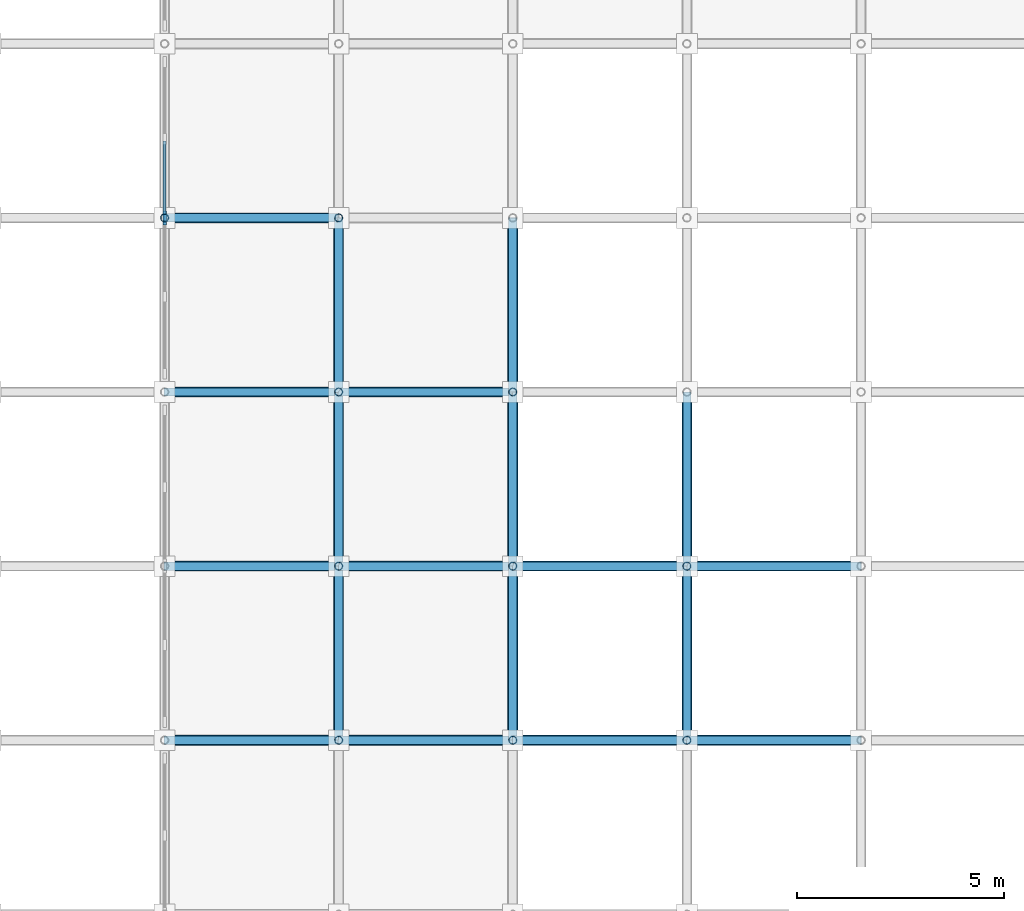
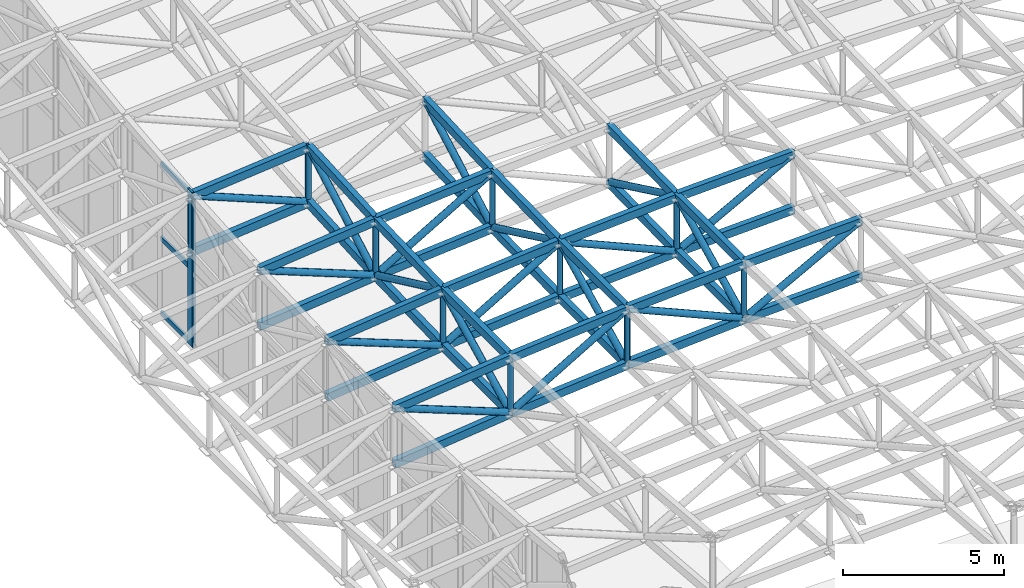
# One storey, part 42 of 123: 72 members, 2 elements without a shape of their own.
"""IFC4 building model written with IfcOpenShell, lengths in metres."""

from ifc_helpers import new_model, si_unit, direction, frame, origin, origin_2d, place, context, subcontext, project, spatial, rectangle, hollow_rectangle, hollow_circle, extrude, material, material_profile, profile_set, type_object, element, aggregate, save


model = new_model("IFC4")

# Units and contexts
model_context = context("Model", 3, precision=1e-05, world=origin(), true_north=direction((0.0, 1.0)))
body_context = subcontext(model_context, "Body", "Model", "MODEL_VIEW")
ifc_project = project(units=[si_unit("LENGTHUNIT", "METRE"), si_unit("AREAUNIT", "SQUARE_METRE"), si_unit("VOLUMEUNIT", "CUBIC_METRE"), si_unit("PLANEANGLEUNIT", "RADIAN"), si_unit("MASSUNIT", "GRAM", prefix="KILO")], contexts=[model_context])

# Site, building, storey
site_placement = place(None, origin())
site = spatial("IfcSite", under=ifc_project, at=site_placement, CompositionType="ELEMENT")
building_placement = place(site_placement, origin())
building = spatial("IfcBuilding", under=site, at=building_placement, Name="Cumbredor Promenade Congress Hotel", CompositionType="ELEMENT")
storey_placement = place(building_placement, frame((0.0, 0.0, 11.760009765625)))
storey = spatial("IfcBuildingStorey", under=building, at=storey_placement, Name="L03", CompositionType="ELEMENT", Elevation=11.760009765625)

# Members
ifc_material_1 = material(Name="Steel ASTM A500 Grade C", Category="steel")
ifc_material_profile_1 = material_profile(ifc_material_1, hollow_rectangle(XDim=0.199951171875, YDim=0.300048828125, WallThickness=0.012451171875, at=origin_2d()), Name="HSS 300x200x12.5")
ifc_profile_set_1 = profile_set([ifc_material_profile_1], Name="Steel ASTM A500 Grade C")
member_type_1 = type_object("IfcMemberType", Name="Ballroom Roof Space Frame Chord", PredefinedType="CHORD", material=ifc_profile_set_1)
for number, where, z_axis, x_axis, name in (
    (1, (142.800048828125, 33.60009765625, 5.228271484375), (0.993720642915, 0.0, 0.111889605611), (0.0, 1.0, 0.0), "Grand Ballroom Pavilion X Top Chord 2.9"),
    (2, (142.800048828125, 33.60009765625, 3.128173828125), (0.993720642915, 0.0, 0.111889605611), (0.0, 1.0, 0.0), "Grand Ballroom Pavilion X Bottom Chord 2.9"),
):
    element("IfcMember", number, at=place(storey_placement, frame(where, z_axis=z_axis, x_axis=x_axis)), inside=storey, type_object=member_type_1, Name=name, PredefinedType="CHORD", context=body_context, shape_type="SweptSolid", body=[
        extrude(hollow_rectangle(XDim=0.199951171875, YDim=0.300048828125, WallThickness=0.012451171875, at=origin_2d()), origin(), (0.0, 0.0, 1.0), 4.2265625),
    ])
for number, where, z_axis, x_axis, name in (
    (3, (147.0, 33.60009765625, 5.701171875), (0.996195037355, 0.0, 0.087151864862), (0.0, 1.0, 0.0), "Grand Ballroom Pavilion X Top Chord 3.9"),
    (4, (147.0, 33.60009765625, 3.60107421875), (0.996190008117, 0.0, 0.087209332804), (0.0, 1.0, 0.0), "Grand Ballroom Pavilion X Bottom Chord 3.9"),
):
    element("IfcMember", number, at=place(storey_placement, frame(where, z_axis=z_axis, x_axis=x_axis)), inside=storey, type_object=member_type_1, Name=name, PredefinedType="CHORD", context=body_context, shape_type="SweptSolid", body=[
        extrude(hollow_rectangle(XDim=0.199951171875, YDim=0.300048828125, WallThickness=0.012451171875, at=origin_2d()), origin(), (0.0, 0.0, 1.0), 4.216064453125),
    ])
for number, where, z_axis, x_axis, name in (
    (5, (151.199951171875, 33.60009765625, 6.068603515625), (0.998049642716, 0.0, 0.062425240688), (0.0, 1.0, 0.0), "Grand Ballroom Pavilion X Top Chord 4.9"),
    (6, (151.199951171875, 33.60009765625, 3.96875), (0.998049642716, 0.0, 0.062425240688), (0.0, 1.0, 0.0), "Grand Ballroom Pavilion X Bottom Chord 4.9"),
):
    element("IfcMember", number, at=place(storey_placement, frame(where, z_axis=z_axis, x_axis=x_axis)), inside=storey, type_object=member_type_1, Name=name, PredefinedType="CHORD", context=body_context, shape_type="SweptSolid", body=[
        extrude(hollow_rectangle(XDim=0.199951171875, YDim=0.300048828125, WallThickness=0.012451171875, at=origin_2d()), origin(), (0.0, 0.0, 1.0), 4.208251953125),
    ])
for number, where, z_axis, x_axis, name in (
    (7, (155.39990234375, 33.60009765625, 6.331298828125), (0.999295765631, 0.0, 0.037522963532), (0.0, 1.0, 0.0), "Grand Ballroom Pavilion X Top Chord 5.9"),
    (8, (155.39990234375, 33.60009765625, 4.2314453125), (0.999295765631, 0.0, 0.037522963532), (0.0, 1.0, 0.0), "Grand Ballroom Pavilion X Bottom Chord 5.9"),
):
    element("IfcMember", number, at=place(storey_placement, frame(where, z_axis=z_axis, x_axis=x_axis)), inside=storey, type_object=member_type_1, Name=name, PredefinedType="CHORD", context=body_context, shape_type="SweptSolid", body=[
        extrude(hollow_rectangle(XDim=0.199951171875, YDim=0.300048828125, WallThickness=0.012451171875, at=origin_2d()), origin(), (0.0, 0.0, 1.0), 4.203125),
    ])
for number, where, z_axis, x_axis, name in (
    (9, (142.800048828125, 37.800048828125, 5.228271484375), (0.993720642915, 0.0, 0.111889605611), (0.0, 1.0, 0.0), "Grand Ballroom Pavilion X Top Chord 2.10"),
    (10, (142.800048828125, 37.800048828125, 3.128173828125), (0.993720642915, 0.0, 0.111889605611), (0.0, 1.0, 0.0), "Grand Ballroom Pavilion X Bottom Chord 2.10"),
):
    element("IfcMember", number, at=place(storey_placement, frame(where, z_axis=z_axis, x_axis=x_axis)), inside=storey, type_object=member_type_1, Name=name, PredefinedType="CHORD", context=body_context, shape_type="SweptSolid", body=[
        extrude(hollow_rectangle(XDim=0.199951171875, YDim=0.300048828125, WallThickness=0.012451171875, at=origin_2d()), origin(), (0.0, 0.0, 1.0), 4.2265625),
    ])
for number, where, z_axis, x_axis, name in (
    (11, (147.0, 37.800048828125, 5.701171875), (0.996195037355, 0.0, 0.087151864862), (0.0, 1.0, 0.0), "Grand Ballroom Pavilion X Top Chord 3.10"),
    (12, (147.0, 37.800048828125, 3.60107421875), (0.996190008117, 0.0, 0.087209332804), (0.0, 1.0, 0.0), "Grand Ballroom Pavilion X Bottom Chord 3.10"),
):
    element("IfcMember", number, at=place(storey_placement, frame(where, z_axis=z_axis, x_axis=x_axis)), inside=storey, type_object=member_type_1, Name=name, PredefinedType="CHORD", context=body_context, shape_type="SweptSolid", body=[
        extrude(hollow_rectangle(XDim=0.199951171875, YDim=0.300048828125, WallThickness=0.012451171875, at=origin_2d()), origin(), (0.0, 0.0, 1.0), 4.216064453125),
    ])
for number, where, z_axis, x_axis, name in (
    (13, (151.199951171875, 37.800048828125, 6.068603515625), (0.998049642716, 0.0, 0.062425240688), (0.0, 1.0, 0.0), "Grand Ballroom Pavilion X Top Chord 4.10"),
    (14, (151.199951171875, 37.800048828125, 3.96875), (0.998049642716, 0.0, 0.062425240688), (0.0, 1.0, 0.0), "Grand Ballroom Pavilion X Bottom Chord 4.10"),
):
    element("IfcMember", number, at=place(storey_placement, frame(where, z_axis=z_axis, x_axis=x_axis)), inside=storey, type_object=member_type_1, Name=name, PredefinedType="CHORD", context=body_context, shape_type="SweptSolid", body=[
        extrude(hollow_rectangle(XDim=0.199951171875, YDim=0.300048828125, WallThickness=0.012451171875, at=origin_2d()), origin(), (0.0, 0.0, 1.0), 4.208251953125),
    ])
for number, where, z_axis, x_axis, name in (
    (15, (155.39990234375, 37.800048828125, 6.331298828125), (0.999295765631, 0.0, 0.037522963532), (0.0, 1.0, 0.0), "Grand Ballroom Pavilion X Top Chord 5.10"),
    (16, (155.39990234375, 37.800048828125, 4.2314453125), (0.999295765631, 0.0, 0.037522963532), (0.0, 1.0, 0.0), "Grand Ballroom Pavilion X Bottom Chord 5.10"),
):
    element("IfcMember", number, at=place(storey_placement, frame(where, z_axis=z_axis, x_axis=x_axis)), inside=storey, type_object=member_type_1, Name=name, PredefinedType="CHORD", context=body_context, shape_type="SweptSolid", body=[
        extrude(hollow_rectangle(XDim=0.199951171875, YDim=0.300048828125, WallThickness=0.012451171875, at=origin_2d()), origin(), (0.0, 0.0, 1.0), 4.203125),
    ])
for number, where, z_axis, x_axis, name in (
    (17, (142.800048828125, 42.0, 5.37451171875), (0.99435911927, 0.0, 0.106065743409), (0.0, 1.0, 0.0), "Grand Ballroom Pavilion X Top Chord 2.11"),
    (18, (142.800048828125, 42.0, 3.274658203125), (0.99435911927, 0.0, 0.106065743409), (0.0, 1.0, 0.0), "Grand Ballroom Pavilion X Bottom Chord 2.11"),
):
    element("IfcMember", number, at=place(storey_placement, frame(where, z_axis=z_axis, x_axis=x_axis)), inside=storey, type_object=member_type_1, Name=name, PredefinedType="CHORD", context=body_context, shape_type="SweptSolid", body=[
        extrude(hollow_rectangle(XDim=0.199951171875, YDim=0.300048828125, WallThickness=0.012451171875, at=origin_2d()), origin(), (0.0, 0.0, 1.0), 4.223876953125),
    ])
for number, where, z_axis, x_axis, name in (
    (19, (147.0, 42.0, 5.822509765625), (0.996577248371, 0.0, 0.082666728677), (0.0, 1.0, 0.0), "Grand Ballroom Pavilion X Top Chord 3.11"),
    (20, (147.0, 42.0, 3.72265625), (0.996582019261, 0.0, 0.082609193714), (0.0, 1.0, 0.0), "Grand Ballroom Pavilion X Bottom Chord 3.11"),
):
    element("IfcMember", number, at=place(storey_placement, frame(where, z_axis=z_axis, x_axis=x_axis)), inside=storey, type_object=member_type_1, Name=name, PredefinedType="CHORD", context=body_context, shape_type="SweptSolid", body=[
        extrude(hollow_rectangle(XDim=0.199951171875, YDim=0.300048828125, WallThickness=0.012451171875, at=origin_2d()), origin(), (0.0, 0.0, 1.0), 4.21435546875),
    ])
for number, where, z_axis, x_axis, name in (
    (21, (142.800048828125, 46.199951171875, 5.66748046875), (0.995535696454, 0.0, 0.094385788579), (0.0, 1.0, 0.0), "Grand Ballroom Pavilion X Top Chord 2.12"),
    (22, (142.800048828125, 46.199951171875, 3.5673828125), (0.995535696454, 0.0, 0.094385788579), (0.0, 1.0, 0.0), "Grand Ballroom Pavilion X Bottom Chord 2.12"),
):
    element("IfcMember", number, at=place(storey_placement, frame(where, z_axis=z_axis, x_axis=x_axis)), inside=storey, type_object=member_type_1, Name=name, PredefinedType="CHORD", context=body_context, shape_type="SweptSolid", body=[
        extrude(hollow_rectangle(XDim=0.199951171875, YDim=0.300048828125, WallThickness=0.012451171875, at=origin_2d()), origin(), (0.0, 0.0, 1.0), 4.21875),
    ])
for number, where, z_axis, x_axis, name in (
    (23, (147.0, 33.60009765625, 5.701171875), (0.0, 1.0, 0.0), (-1.0, 0.0, 0.0), "Grand Ballroom Pavilion Y Top Chord 3.9"),
    (24, (147.0, 33.60009765625, 3.60107421875), (0.0, 1.0, 0.0), (-1.0, 0.0, 0.0), "Grand Ballroom Pavilion Y Bottom Chord 3.9"),
):
    element("IfcMember", number, at=place(storey_placement, frame(where, z_axis=z_axis, x_axis=x_axis)), inside=storey, type_object=member_type_1, Name=name, PredefinedType="CHORD", context=body_context, shape_type="SweptSolid", body=[
        extrude(hollow_rectangle(XDim=0.199951171875, YDim=0.300048828125, WallThickness=0.012451171875, at=origin_2d()), origin(), (0.0, 0.0, 1.0), 4.199951171875),
    ])
for number, where, z_axis, x_axis, name in (
    (25, (147.0, 37.800048828125, 5.701171875), (0.0, 0.999582936058, 0.028878260723), (-1.0, 0.0, 0.0), "Grand Ballroom Pavilion Y Top Chord 3.10"),
    (26, (147.0, 37.800048828125, 3.60107421875), (0.0, 0.999581257099, 0.028936317272), (-1.0, 0.0, 0.0), "Grand Ballroom Pavilion Y Bottom Chord 3.10"),
):
    element("IfcMember", number, at=place(storey_placement, frame(where, z_axis=z_axis, x_axis=x_axis)), inside=storey, type_object=member_type_1, Name=name, PredefinedType="CHORD", context=body_context, shape_type="SweptSolid", body=[
        extrude(hollow_rectangle(XDim=0.199951171875, YDim=0.300048828125, WallThickness=0.012451171875, at=origin_2d()), origin(), (0.0, 0.0, 1.0), 4.20166015625),
    ])
for number, where, z_axis, x_axis, name in (
    (27, (147.0, 42.0, 5.822509765625), (0.0, 0.998328177583, 0.057800085152), (-1.0, 0.0, 0.0), "Grand Ballroom Pavilion Y Top Chord 3.11"),
    (28, (147.0, 42.0, 3.72265625), (0.0, 0.998331524578, 0.057742246524), (-1.0, 0.0, 0.0), "Grand Ballroom Pavilion Y Bottom Chord 3.11"),
):
    element("IfcMember", number, at=place(storey_placement, frame(where, z_axis=z_axis, x_axis=x_axis)), inside=storey, type_object=member_type_1, Name=name, PredefinedType="CHORD", context=body_context, shape_type="SweptSolid", body=[
        extrude(hollow_rectangle(XDim=0.199951171875, YDim=0.300048828125, WallThickness=0.012451171875, at=origin_2d()), origin(), (0.0, 0.0, 1.0), 4.20703125),
    ])
for number, where, z_axis, x_axis, name in (
    (29, (151.199951171875, 33.60009765625, 6.068603515625), (0.0, 1.0, 0.0), (-1.0, 0.0, 0.0), "Grand Ballroom Pavilion Y Top Chord 4.9"),
    (30, (151.199951171875, 33.60009765625, 3.96875), (0.0, 1.0, 0.0), (-1.0, 0.0, 0.0), "Grand Ballroom Pavilion Y Bottom Chord 4.9"),
):
    element("IfcMember", number, at=place(storey_placement, frame(where, z_axis=z_axis, x_axis=x_axis)), inside=storey, type_object=member_type_1, Name=name, PredefinedType="CHORD", context=body_context, shape_type="SweptSolid", body=[
        extrude(hollow_rectangle(XDim=0.199951171875, YDim=0.300048828125, WallThickness=0.012451171875, at=origin_2d()), origin(), (0.0, 0.0, 1.0), 4.199951171875),
    ])
for number, where, z_axis, x_axis, name in (
    (31, (151.199951171875, 37.800048828125, 6.068603515625), (0.0, 0.999703519252, 0.024348995789), (-1.0, 0.0, 0.0), "Grand Ballroom Pavilion Y Top Chord 4.10"),
    (32, (151.199951171875, 37.800048828125, 3.96875), (0.0, 0.99970493212, 0.024290917958), (-1.0, 0.0, 0.0), "Grand Ballroom Pavilion Y Bottom Chord 4.10"),
):
    element("IfcMember", number, at=place(storey_placement, frame(where, z_axis=z_axis, x_axis=x_axis)), inside=storey, type_object=member_type_1, Name=name, PredefinedType="CHORD", context=body_context, shape_type="SweptSolid", body=[
        extrude(hollow_rectangle(XDim=0.199951171875, YDim=0.300048828125, WallThickness=0.012451171875, at=origin_2d()), origin(), (0.0, 0.0, 1.0), 4.201171875),
    ])
for number, where, z_axis, x_axis, name in (
    (33, (151.199951171875, 42.0, 6.1708984375), (0.0, 0.998815656724, 0.048654741634), (-1.0, 0.0, 0.0), "Grand Ballroom Pavilion Y Top Chord 4.11"),
    (34, (151.199951171875, 42.0, 4.07080078125), (0.0, 0.998815656724, 0.048654741634), (-1.0, 0.0, 0.0), "Grand Ballroom Pavilion Y Bottom Chord 4.11"),
):
    element("IfcMember", number, at=place(storey_placement, frame(where, z_axis=z_axis, x_axis=x_axis)), inside=storey, type_object=member_type_1, Name=name, PredefinedType="CHORD", context=body_context, shape_type="SweptSolid", body=[
        extrude(hollow_rectangle(XDim=0.199951171875, YDim=0.300048828125, WallThickness=0.012451171875, at=origin_2d()), origin(), (0.0, 0.0, 1.0), 4.204833984375),
    ])
for number, where, z_axis, x_axis, name in (
    (35, (155.39990234375, 33.60009765625, 6.331298828125), (0.0, 1.0, 0.0), (-1.0, 0.0, 0.0), "Grand Ballroom Pavilion Y Top Chord 5.9"),
    (36, (155.39990234375, 33.60009765625, 4.2314453125), (0.0, 1.0, 0.0), (-1.0, 0.0, 0.0), "Grand Ballroom Pavilion Y Bottom Chord 5.9"),
):
    element("IfcMember", number, at=place(storey_placement, frame(where, z_axis=z_axis, x_axis=x_axis)), inside=storey, type_object=member_type_1, Name=name, PredefinedType="CHORD", context=body_context, shape_type="SweptSolid", body=[
        extrude(hollow_rectangle(XDim=0.199951171875, YDim=0.300048828125, WallThickness=0.012451171875, at=origin_2d()), origin(), (0.0, 0.0, 1.0), 4.199951171875),
    ])
for number, where, z_axis, x_axis, name in (
    (37, (155.39990234375, 37.800048828125, 6.331298828125), (0.0, 0.999778672914, 0.021038184014), (-1.0, 0.0, 0.0), "Grand Ballroom Pavilion Y Top Chord 5.10"),
    (38, (155.39990234375, 37.800048828125, 4.2314453125), (0.0, 0.999778672914, 0.021038184014), (-1.0, 0.0, 0.0), "Grand Ballroom Pavilion Y Bottom Chord 5.10"),
):
    element("IfcMember", number, at=place(storey_placement, frame(where, z_axis=z_axis, x_axis=x_axis)), inside=storey, type_object=member_type_1, Name=name, PredefinedType="CHORD", context=body_context, shape_type="SweptSolid", body=[
        extrude(hollow_rectangle(XDim=0.199951171875, YDim=0.300048828125, WallThickness=0.012451171875, at=origin_2d()), origin(), (0.0, 0.0, 1.0), 4.200927734375),
    ])

# Curtain wall, member
ifc_material_2 = material(Name="Thermally broken anodized aluminium and low-E glass", Category="aluminium")
curtain_wall_type = type_object("IfcCurtainWallType", Name="Stepped Pavilion Clerestory Curtain Wall CW-06", PredefinedType="NOTDEFINED", material=ifc_material_2)
curtain_wall_1_placement = place(storey_placement, origin())
curtain_wall_1 = element("IfcCurtainWall", 39, at=curtain_wall_1_placement, inside=storey, type_object=curtain_wall_type, Name="Grand Ballroom Pavilion W Glazed Clerestory 9", PredefinedType="NOTDEFINED")
ifc_material_3 = material(Name="Thermally broken anodized aluminium", Category="aluminium")
ifc_material_profile_2 = material_profile(ifc_material_3, rectangle(XDim=0.0849609375, YDim=0.260009765625, at=origin_2d()), Name="ALU MULLION CLERESTORY 85x260")
ifc_profile_set_2 = profile_set([ifc_material_profile_2], Name="Thermally broken anodized aluminium")
member_type_2 = type_object("IfcMemberType", Name="Curtain Wall Mullion ML-04", PredefinedType="MULLION", material=ifc_profile_set_2)
member_1_placement = place(storey_placement, frame((142.800048828125, 46.159912109375, -0.01806640625), z_axis=(0.0, 0.0, 1.0), x_axis=(1.0, 0.0, 0.0)))
member_1 = element("IfcMember", 40, at=member_1_placement, type_object=member_type_2, Name="Grand Ballroom Pavilion W Glazed Clerestory 9 Mullion 3", PredefinedType="MULLION", context=body_context, shape_type="SweptSolid", body=[
    extrude(rectangle(XDim=0.0849609375, YDim=0.260009765625, at=origin_2d()), origin(), (0.0, 0.0, 1.0), 5.568603515625),
])
aggregate(curtain_wall_1, [member_1])

# Curtain wall, members
curtain_wall_2_placement = place(storey_placement, origin())
curtain_wall_2 = element("IfcCurtainWall", 41, at=curtain_wall_2_placement, inside=storey, type_object=curtain_wall_type, Name="Grand Ballroom Pavilion W Glazed Clerestory 10", PredefinedType="NOTDEFINED")
member_2_placement = place(storey_placement, frame((142.800048828125, 46.239990234375, -0.01806640625), z_axis=(0.0, 0.0, 1.0), x_axis=(1.0, 0.0, 0.0)))
member_2 = element("IfcMember", 42, at=member_2_placement, type_object=member_type_2, Name="Grand Ballroom Pavilion W Glazed Clerestory 10 Mullion 1", PredefinedType="MULLION", context=body_context, shape_type="SweptSolid", body=[
    extrude(rectangle(XDim=0.0849609375, YDim=0.260009765625, at=origin_2d()), origin(), (0.0, 0.0, 1.0), 5.861572265625),
])
ifc_material_profile_3 = material_profile(ifc_material_3, rectangle(XDim=0.080078125, YDim=0.179931640625, at=origin_2d()), Name="ALU TRANSOM 80x180")
ifc_profile_set_3 = profile_set([ifc_material_profile_3], Name="Thermally broken anodized aluminium")
member_type_3 = type_object("IfcMemberType", Name="Curtain Wall Transom TR-03", PredefinedType="USERDEFINED", material=ifc_profile_set_3)
member_3_placement = place(storey_placement, frame((142.800048828125, 46.282470703125, 0.080078125), z_axis=(0.0, 1.0, 0.0), x_axis=(-1.0, 0.0, 0.0)))
member_3 = element("IfcMember", 43, at=member_3_placement, type_object=member_type_3, Name="Grand Ballroom Pavilion W Glazed Clerestory 10 Transom 1.1", ObjectType="TRANSOM", PredefinedType="USERDEFINED", context=body_context, shape_type="SweptSolid", body=[
    extrude(rectangle(XDim=0.080078125, YDim=0.179931640625, at=origin_2d()), origin(), (0.0, 0.0, 1.0), 1.775146484375),
])
member_4_placement = place(storey_placement, frame((142.800048828125, 46.282470703125, 2.919921875), z_axis=(0.0, 1.0, 0.0), x_axis=(-1.0, 0.0, 0.0)))
member_4 = element("IfcMember", 44, at=member_4_placement, type_object=member_type_3, Name="Grand Ballroom Pavilion W Glazed Clerestory 10 Transom 1.2", ObjectType="TRANSOM", PredefinedType="USERDEFINED", context=body_context, shape_type="SweptSolid", body=[
    extrude(rectangle(XDim=0.080078125, YDim=0.179931640625, at=origin_2d()), origin(), (0.0, 0.0, 1.0), 1.775146484375),
])
member_5_placement = place(storey_placement, frame((142.800048828125, 46.282470703125, 5.75), z_axis=(0.0, 1.0, 0.0), x_axis=(-1.0, 0.0, 0.0)))
member_5 = element("IfcMember", 45, at=member_5_placement, type_object=member_type_3, Name="Grand Ballroom Pavilion W Glazed Clerestory 10 Transom 1.3", ObjectType="TRANSOM", PredefinedType="USERDEFINED", context=body_context, shape_type="SweptSolid", body=[
    extrude(rectangle(XDim=0.080078125, YDim=0.179931640625, at=origin_2d()), origin(), (0.0, 0.0, 1.0), 1.775146484375),
])
aggregate(curtain_wall_2, [member_2, member_3, member_4, member_5])

# Members
ifc_material_profile_4 = material_profile(ifc_material_1, hollow_circle(Radius=0.122314453125, WallThickness=0.012451171875, at=origin_2d()), Name="CHS 244.5x12.5")
ifc_profile_set_4 = profile_set([ifc_material_profile_4], Name="Steel ASTM A500 Grade C")
member_type_4 = type_object("IfcMemberType", Name="Space Frame Web Diagonal D2", PredefinedType="BRACE", material=ifc_profile_set_4)
member_6_placement = place(storey_placement, frame((142.800048828125, 33.60009765625, 5.228271484375), z_axis=(0.932462692846, 0.0, -0.361266281917), x_axis=(0.0, 1.0, 0.0)))
element("IfcMember", 46, at=member_6_placement, inside=storey, type_object=member_type_4, Name="Grand Ballroom Pavilion X Web Diagonal 2.9", PredefinedType="BRACE", context=body_context, shape_type="SweptSolid", body=[
    extrude(hollow_circle(Radius=0.122314453125, WallThickness=0.012451171875, at=origin_2d()), origin(), (0.0, 0.0, 1.0), 4.504150390625),
])
member_7_placement = place(storey_placement, frame((147.0, 33.60009765625, 3.60107421875), z_axis=(0.862205947731, 0.0, 0.506557897676), x_axis=(0.0, 1.0, 0.0)))
element("IfcMember", 47, at=member_7_placement, inside=storey, type_object=member_type_4, Name="Grand Ballroom Pavilion X Web Diagonal 3.9", PredefinedType="BRACE", context=body_context, shape_type="SweptSolid", body=[
    extrude(hollow_circle(Radius=0.122314453125, WallThickness=0.012451171875, at=origin_2d()), origin(), (0.0, 0.0, 1.0), 4.87109375),
])
member_8_placement = place(storey_placement, frame((151.199951171875, 33.60009765625, 6.068603515625), z_axis=(0.916183001231, 0.0, -0.40076016301), x_axis=(0.0, 1.0, 0.0)))
element("IfcMember", 48, at=member_8_placement, inside=storey, type_object=member_type_4, Name="Grand Ballroom Pavilion X Web Diagonal 4.9", PredefinedType="BRACE", context=body_context, shape_type="SweptSolid", body=[
    extrude(hollow_circle(Radius=0.122314453125, WallThickness=0.012451171875, at=origin_2d()), origin(), (0.0, 0.0, 1.0), 4.584228515625),
])
member_9_placement = place(storey_placement, frame((155.39990234375, 33.60009765625, 4.2314453125), z_axis=(0.880827599648, 0.0, 0.473437154961), x_axis=(0.0, 1.0, 0.0)))
element("IfcMember", 49, at=member_9_placement, inside=storey, type_object=member_type_4, Name="Grand Ballroom Pavilion X Web Diagonal 5.9", PredefinedType="BRACE", context=body_context, shape_type="SweptSolid", body=[
    extrude(hollow_circle(Radius=0.122314453125, WallThickness=0.012451171875, at=origin_2d()), origin(), (0.0, 0.0, 1.0), 4.7685546875),
])
member_10_placement = place(storey_placement, frame((142.800048828125, 37.800048828125, 5.228271484375), z_axis=(0.932462692846, 0.0, -0.361266281917), x_axis=(0.0, 1.0, 0.0)))
element("IfcMember", 50, at=member_10_placement, inside=storey, type_object=member_type_4, Name="Grand Ballroom Pavilion X Web Diagonal 2.10", PredefinedType="BRACE", context=body_context, shape_type="SweptSolid", body=[
    extrude(hollow_circle(Radius=0.122314453125, WallThickness=0.012451171875, at=origin_2d()), origin(), (0.0, 0.0, 1.0), 4.504150390625),
])
member_11_placement = place(storey_placement, frame((147.0, 37.800048828125, 3.60107421875), z_axis=(0.862205947731, 0.0, 0.506557897676), x_axis=(0.0, 1.0, 0.0)))
element("IfcMember", 51, at=member_11_placement, inside=storey, type_object=member_type_4, Name="Grand Ballroom Pavilion X Web Diagonal 3.10", PredefinedType="BRACE", context=body_context, shape_type="SweptSolid", body=[
    extrude(hollow_circle(Radius=0.122314453125, WallThickness=0.012451171875, at=origin_2d()), origin(), (0.0, 0.0, 1.0), 4.87109375),
])
member_12_placement = place(storey_placement, frame((151.199951171875, 37.800048828125, 6.068603515625), z_axis=(0.916183001231, 0.0, -0.40076016301), x_axis=(0.0, 1.0, 0.0)))
element("IfcMember", 52, at=member_12_placement, inside=storey, type_object=member_type_4, Name="Grand Ballroom Pavilion X Web Diagonal 4.10", PredefinedType="BRACE", context=body_context, shape_type="SweptSolid", body=[
    extrude(hollow_circle(Radius=0.122314453125, WallThickness=0.012451171875, at=origin_2d()), origin(), (0.0, 0.0, 1.0), 4.584228515625),
])
member_13_placement = place(storey_placement, frame((155.39990234375, 37.800048828125, 4.2314453125), z_axis=(0.880827599648, 0.0, 0.473437154961), x_axis=(0.0, 1.0, 0.0)))
element("IfcMember", 53, at=member_13_placement, inside=storey, type_object=member_type_4, Name="Grand Ballroom Pavilion X Web Diagonal 5.10", PredefinedType="BRACE", context=body_context, shape_type="SweptSolid", body=[
    extrude(hollow_circle(Radius=0.122314453125, WallThickness=0.012451171875, at=origin_2d()), origin(), (0.0, 0.0, 1.0), 4.7685546875),
])
member_14_placement = place(storey_placement, frame((142.800048828125, 42.0, 5.37451171875), z_axis=(0.930610057506, 0.0, -0.366012186775), x_axis=(0.0, 1.0, 0.0)))
element("IfcMember", 54, at=member_14_placement, inside=storey, type_object=member_type_4, Name="Grand Ballroom Pavilion X Web Diagonal 2.11", PredefinedType="BRACE", context=body_context, shape_type="SweptSolid", body=[
    extrude(hollow_circle(Radius=0.122314453125, WallThickness=0.012451171875, at=origin_2d()), origin(), (0.0, 0.0, 1.0), 4.51318359375),
])
member_15_placement = place(storey_placement, frame((147.0, 42.0, 3.72265625), z_axis=(0.863933683263, 0.0, 0.503605590639), x_axis=(0.0, 1.0, 0.0)))
element("IfcMember", 55, at=member_15_placement, inside=storey, type_object=member_type_4, Name="Grand Ballroom Pavilion X Web Diagonal 3.11", PredefinedType="BRACE", context=body_context, shape_type="SweptSolid", body=[
    extrude(hollow_circle(Radius=0.122314453125, WallThickness=0.012451171875, at=origin_2d()), origin(), (0.0, 0.0, 1.0), 4.861328125),
])
member_16_placement = place(storey_placement, frame((142.800048828125, 46.199951171875, 5.66748046875), z_axis=(0.926799079223, 0.0, -0.3755575412), x_axis=(0.0, 1.0, 0.0)))
element("IfcMember", 56, at=member_16_placement, inside=storey, type_object=member_type_4, Name="Grand Ballroom Pavilion X Web Diagonal 2.12", PredefinedType="BRACE", context=body_context, shape_type="SweptSolid", body=[
    extrude(hollow_circle(Radius=0.122314453125, WallThickness=0.012451171875, at=origin_2d()), origin(), (0.0, 0.0, 1.0), 4.53173828125),
])
member_17_placement = place(storey_placement, frame((147.0, 33.60009765625, 3.60107421875), z_axis=(0.0, 0.894416792377, 0.447234392142), x_axis=(-1.0, 0.0, 0.0)))
element("IfcMember", 57, at=member_17_placement, inside=storey, type_object=member_type_4, Name="Grand Ballroom Pavilion Y Web Diagonal 3.9", PredefinedType="BRACE", context=body_context, shape_type="SweptSolid", body=[
    extrude(hollow_circle(Radius=0.122314453125, WallThickness=0.012451171875, at=origin_2d()), origin(), (0.0, 0.0, 1.0), 4.69580078125),
])
member_18_placement = place(storey_placement, frame((147.0, 37.800048828125, 5.701171875), z_axis=(0.0, 0.904647014701, -0.426161681517), x_axis=(-1.0, 0.0, 0.0)))
element("IfcMember", 58, at=member_18_placement, inside=storey, type_object=member_type_4, Name="Grand Ballroom Pavilion Y Web Diagonal 3.10", PredefinedType="BRACE", context=body_context, shape_type="SweptSolid", body=[
    extrude(hollow_circle(Radius=0.122314453125, WallThickness=0.012451171875, at=origin_2d()), origin(), (0.0, 0.0, 1.0), 4.642578125),
])
member_19_placement = place(storey_placement, frame((147.0, 42.0, 3.72265625), z_axis=(0.0, 0.873298667641, 0.487185218471), x_axis=(-1.0, 0.0, 0.0)))
element("IfcMember", 59, at=member_19_placement, inside=storey, type_object=member_type_4, Name="Grand Ballroom Pavilion Y Web Diagonal 3.11", PredefinedType="BRACE", context=body_context, shape_type="SweptSolid", body=[
    extrude(hollow_circle(Radius=0.122314453125, WallThickness=0.012451171875, at=origin_2d()), origin(), (0.0, 0.0, 1.0), 4.809326171875),
])
member_20_placement = place(storey_placement, frame((151.199951171875, 33.60009765625, 3.96875), z_axis=(0.0, 0.894437589381, 0.447192798132), x_axis=(-1.0, 0.0, 0.0)))
element("IfcMember", 60, at=member_20_placement, inside=storey, type_object=member_type_4, Name="Grand Ballroom Pavilion Y Web Diagonal 4.9", PredefinedType="BRACE", context=body_context, shape_type="SweptSolid", body=[
    extrude(hollow_circle(Radius=0.122314453125, WallThickness=0.012451171875, at=origin_2d()), origin(), (0.0, 0.0, 1.0), 4.695556640625),
])
member_21_placement = place(storey_placement, frame((151.199951171875, 37.800048828125, 6.068603515625), z_axis=(0.0, 0.903041884689, -0.429552504936), x_axis=(-1.0, 0.0, 0.0)))
element("IfcMember", 61, at=member_21_placement, inside=storey, type_object=member_type_4, Name="Grand Ballroom Pavilion Y Web Diagonal 4.10", PredefinedType="BRACE", context=body_context, shape_type="SweptSolid", body=[
    extrude(hollow_circle(Radius=0.122314453125, WallThickness=0.012451171875, at=origin_2d()), origin(), (0.0, 0.0, 1.0), 4.65087890625),
])
member_22_placement = place(storey_placement, frame((151.199951171875, 42.0, 4.07080078125), z_axis=(0.0, 0.876681386085, 0.481071457574), x_axis=(-1.0, 0.0, 0.0)))
element("IfcMember", 62, at=member_22_placement, inside=storey, type_object=member_type_4, Name="Grand Ballroom Pavilion Y Web Diagonal 4.11", PredefinedType="BRACE", context=body_context, shape_type="SweptSolid", body=[
    extrude(hollow_circle(Radius=0.122314453125, WallThickness=0.012451171875, at=origin_2d()), origin(), (0.0, 0.0, 1.0), 4.790771484375),
])
member_23_placement = place(storey_placement, frame((155.39990234375, 33.60009765625, 4.2314453125), z_axis=(0.0, 0.894437589381, 0.447192798132), x_axis=(-1.0, 0.0, 0.0)))
element("IfcMember", 63, at=member_23_placement, inside=storey, type_object=member_type_4, Name="Grand Ballroom Pavilion Y Web Diagonal 5.9", PredefinedType="BRACE", context=body_context, shape_type="SweptSolid", body=[
    extrude(hollow_circle(Radius=0.122314453125, WallThickness=0.012451171875, at=origin_2d()), origin(), (0.0, 0.0, 1.0), 4.695556640625),
])
member_24_placement = place(storey_placement, frame((155.39990234375, 37.800048828125, 6.331298828125), z_axis=(0.0, 0.901899861467, -0.431945181575), x_axis=(-1.0, 0.0, 0.0)))
element("IfcMember", 64, at=member_24_placement, inside=storey, type_object=member_type_4, Name="Grand Ballroom Pavilion Y Web Diagonal 5.10", PredefinedType="BRACE", context=body_context, shape_type="SweptSolid", body=[
    extrude(hollow_circle(Radius=0.122314453125, WallThickness=0.012451171875, at=origin_2d()), origin(), (0.0, 0.0, 1.0), 4.65673828125),
])
ifc_material_profile_5 = material_profile(ifc_material_1, hollow_circle(Radius=0.096923828125, WallThickness=0.010009765625, at=origin_2d()), Name="CHS 193.7x10")
ifc_profile_set_5 = profile_set([ifc_material_profile_5], Name="Steel ASTM A500 Grade C")
member_type_5 = type_object("IfcMemberType", Name="Space Frame Web Post P1", PredefinedType="BRACE", material=ifc_profile_set_5)
for number, where, z_axis, x_axis, name in (
    (65, (142.800048828125, 46.199951171875, 3.5673828125), (0.0, 0.0, 1.0), (1.0, 0.0, 0.0), "Grand Ballroom Pavilion Space Frame Web Post 2.12"),
    (66, (147.0, 33.60009765625, 3.60107421875), (0.0, 0.0, 1.0), (1.0, 0.0, 0.0), "Grand Ballroom Pavilion Space Frame Web Post 3.9"),
    (67, (147.0, 37.800048828125, 3.60107421875), (0.0, 0.0, 1.0), (1.0, 0.0, 0.0), "Grand Ballroom Pavilion Space Frame Web Post 3.10"),
):
    element("IfcMember", number, at=place(storey_placement, frame(where, z_axis=z_axis, x_axis=x_axis)), inside=storey, type_object=member_type_5, Name=name, PredefinedType="BRACE", context=body_context, shape_type="SweptSolid", body=[
        extrude(hollow_circle(Radius=0.096923828125, WallThickness=0.010009765625, at=origin_2d()), origin(), (0.0, 0.0, 1.0), 2.10009765625),
    ])
member_25_placement = place(storey_placement, frame((147.0, 42.0, 3.72265625), z_axis=(0.0, 0.0, 1.0), x_axis=(1.0, 0.0, 0.0)))
element("IfcMember", 68, at=member_25_placement, inside=storey, type_object=member_type_5, Name="Grand Ballroom Pavilion Space Frame Web Post 3.11", PredefinedType="BRACE", context=body_context, shape_type="SweptSolid", body=[
    extrude(hollow_circle(Radius=0.096923828125, WallThickness=0.010009765625, at=origin_2d()), origin(), (0.0, 0.0, 1.0), 2.099853515625),
])
member_26_placement = place(storey_placement, frame((147.0, 46.199951171875, 3.965576171875), z_axis=(0.0, 0.0, 1.0), x_axis=(1.0, 0.0, 0.0)))
element("IfcMember", 69, at=member_26_placement, inside=storey, type_object=member_type_5, Name="Grand Ballroom Pavilion Space Frame Web Post 3.12", PredefinedType="BRACE", context=body_context, shape_type="SweptSolid", body=[
    extrude(hollow_circle(Radius=0.096923828125, WallThickness=0.010009765625, at=origin_2d()), origin(), (0.0, 0.0, 1.0), 2.10009765625),
])
for number, where, z_axis, x_axis, name in (
    (70, (151.199951171875, 33.60009765625, 3.96875), (0.0, 0.0, 1.0), (1.0, 0.0, 0.0), "Grand Ballroom Pavilion Space Frame Web Post 4.9"),
    (71, (151.199951171875, 37.800048828125, 3.96875), (0.0, 0.0, 1.0), (1.0, 0.0, 0.0), "Grand Ballroom Pavilion Space Frame Web Post 4.10"),
):
    element("IfcMember", number, at=place(storey_placement, frame(where, z_axis=z_axis, x_axis=x_axis)), inside=storey, type_object=member_type_5, Name=name, PredefinedType="BRACE", context=body_context, shape_type="SweptSolid", body=[
        extrude(hollow_circle(Radius=0.096923828125, WallThickness=0.010009765625, at=origin_2d()), origin(), (0.0, 0.0, 1.0), 2.099853515625),
    ])
member_27_placement = place(storey_placement, frame((151.199951171875, 42.0, 4.07080078125), z_axis=(0.0, 0.0, 1.0), x_axis=(1.0, 0.0, 0.0)))
element("IfcMember", 72, at=member_27_placement, inside=storey, type_object=member_type_5, Name="Grand Ballroom Pavilion Space Frame Web Post 4.11", PredefinedType="BRACE", context=body_context, shape_type="SweptSolid", body=[
    extrude(hollow_circle(Radius=0.096923828125, WallThickness=0.010009765625, at=origin_2d()), origin(), (0.0, 0.0, 1.0), 2.10009765625),
])
for number, where, z_axis, x_axis, name in (
    (73, (155.39990234375, 33.60009765625, 4.2314453125), (0.0, 0.0, 1.0), (1.0, 0.0, 0.0), "Grand Ballroom Pavilion Space Frame Web Post 5.9"),
    (74, (155.39990234375, 37.800048828125, 4.2314453125), (0.0, 0.0, 1.0), (1.0, 0.0, 0.0), "Grand Ballroom Pavilion Space Frame Web Post 5.10"),
):
    element("IfcMember", number, at=place(storey_placement, frame(where, z_axis=z_axis, x_axis=x_axis)), inside=storey, type_object=member_type_5, Name=name, PredefinedType="BRACE", context=body_context, shape_type="SweptSolid", body=[
        extrude(hollow_circle(Radius=0.096923828125, WallThickness=0.010009765625, at=origin_2d()), origin(), (0.0, 0.0, 1.0), 2.099853515625),
    ])

save(model, "model.ifc")
